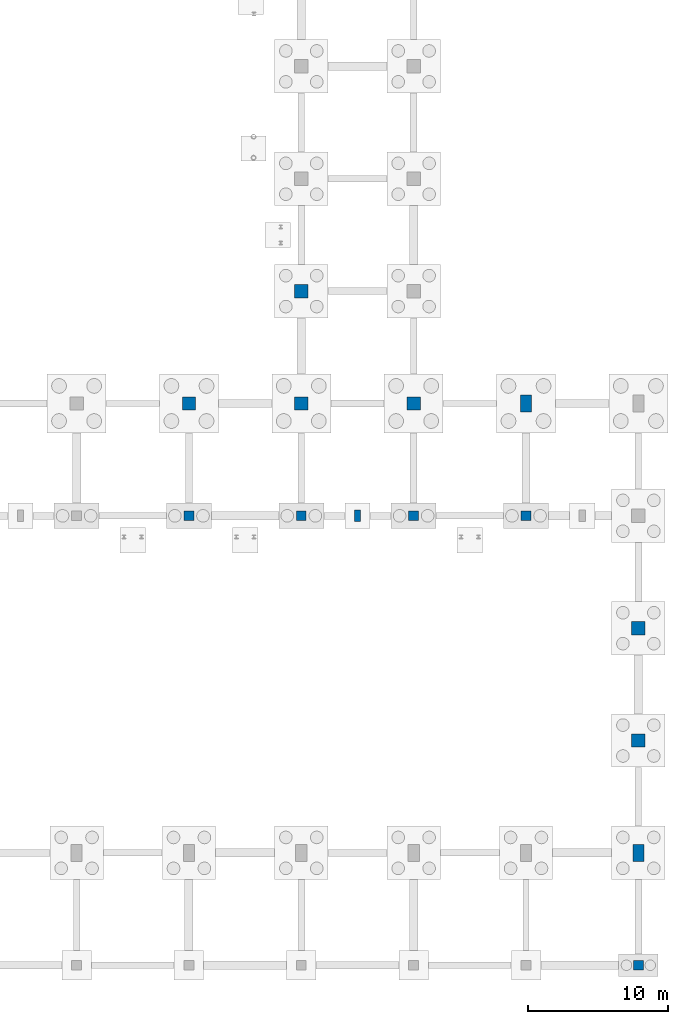
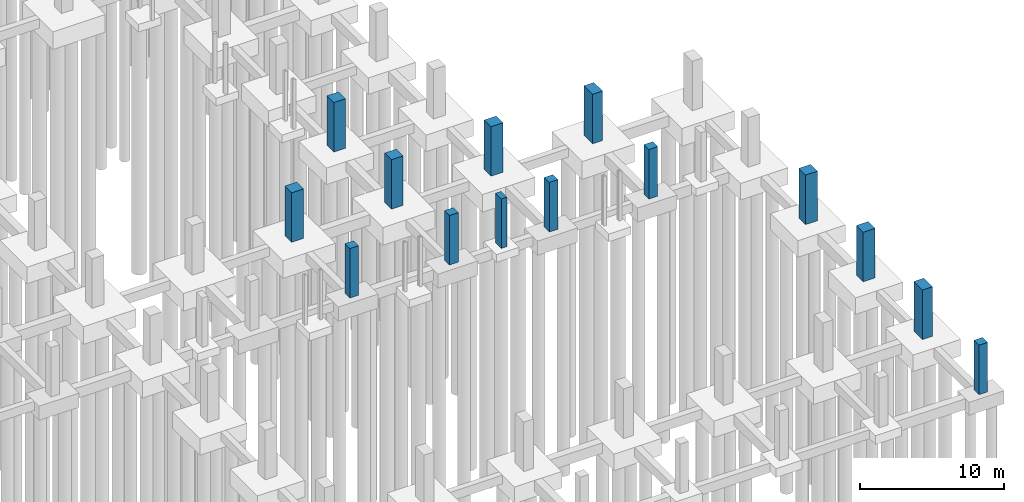
# One storey, part 17 of 32: 14 columns.
"""IFC4 building model written with IfcOpenShell, lengths in metres."""

from ifc_helpers import new_model, si_unit, direction, frame, origin, origin_2d, place, context, subcontext, project, spatial, rectangle, extrude, material, material_profile, profile_set, type_object, element, save


model = new_model("IFC4")

# Units and contexts
model_context = context("Model", 3, precision=1e-05, world=origin(), true_north=direction((0.0, 1.0)))
body_context = subcontext(model_context, "Body", "Model", "MODEL_VIEW")
ifc_project = project(units=[si_unit("LENGTHUNIT", "METRE"), si_unit("AREAUNIT", "SQUARE_METRE"), si_unit("VOLUMEUNIT", "CUBIC_METRE"), si_unit("PLANEANGLEUNIT", "RADIAN"), si_unit("MASSUNIT", "GRAM", prefix="KILO")], contexts=[model_context])

# Site, building, storey
site_placement = place(None, origin())
site = spatial("IfcSite", under=ifc_project, at=site_placement, CompositionType="ELEMENT")
building_placement = place(site_placement, origin())
building = spatial("IfcBuilding", under=site, at=building_placement, Name="Tenunan Teduh Sports Hall", CompositionType="ELEMENT")
storey_placement = place(building_placement, frame((0.0, 0.0, -4.199951171875)))
storey = spatial("IfcBuildingStorey", under=building, at=storey_placement, Name="B1", CompositionType="ELEMENT", Elevation=-4.199951171875)

# Columns
ifc_material_1 = material(Name="Concrete C40/50", Category="concrete")
ifc_material_profile_1 = material_profile(ifc_material_1, rectangle(XDim=0.699951171875, YDim=0.699951171875, at=origin_2d()), Name="RC 700x700")
ifc_profile_set_1 = profile_set([ifc_material_profile_1], Name="Concrete C40/50")
column_type_1 = type_object("IfcColumnType", Name="COL-RC-700", PredefinedType="COLUMN", material=ifc_profile_set_1)
for number, where, z_axis, x_axis, name in (
    (1, (138.0, 38.0, 0.0), (0.0, 0.0, 1.0), (1.0, 0.0, 0.0), "COL-C-07-B1-178"),
    (2, (146.0, 38.0, 0.0), (0.0, 0.0, 1.0), (1.0, 0.0, 0.0), "COL-C-07-B1-188"),
    (3, (154.0, 38.0, 0.0), (0.0, 0.0, 1.0), (1.0, 0.0, 0.0), "COL-C-07-B1-201"),
    (4, (162.0, 38.0, 0.0), (0.0, 0.0, 1.0), (1.0, 0.0, 0.0), "COL-C-07-B1-214"),
    (5, (170.0, 6.0, 0.0), (0.0, 0.0, 1.0), (1.0, 0.0, 0.0), "COL-C-07-B1-220"),
):
    element("IfcColumn", number, at=place(storey_placement, frame(where, z_axis=z_axis, x_axis=x_axis)), inside=storey, type_object=column_type_1, Name=name, PredefinedType="COLUMN", context=body_context, shape_type="SweptSolid", body=[
        extrude(rectangle(XDim=0.699951171875, YDim=0.699951171875, at=origin_2d()), origin(), (0.0, 0.0, 1.0), 4.199951171875),
    ])
ifc_material_2 = material(Name="Concrete C40/50", Category="concrete")
ifc_material_profile_2 = material_profile(ifc_material_2, rectangle(XDim=0.800048828125, YDim=1.199951171875, at=origin_2d()), Name="RC 800x1200")
ifc_profile_set_2 = profile_set([ifc_material_profile_2], Name="Concrete C40/50")
column_type_2 = type_object("IfcColumnType", Name="COL-RC-800x1200", PredefinedType="COLUMN", material=ifc_profile_set_2)
for number, where, z_axis, x_axis, name in (
    (6, (162.0, 46.0, 0.0), (0.0, 0.0, 1.0), (1.0, 0.0, 0.0), "COL-C-14-B1-215"),
    (7, (170.0, 14.0, 0.0), (0.0, 0.0, 1.0), (1.0, 0.0, 0.0), "COL-C-14-B1-221"),
):
    element("IfcColumn", number, at=place(storey_placement, frame(where, z_axis=z_axis, x_axis=x_axis)), inside=storey, type_object=column_type_2, Name=name, PredefinedType="COLUMN", context=body_context, shape_type="SweptSolid", body=[
        extrude(rectangle(XDim=0.800048828125, YDim=1.199951171875, at=origin_2d()), origin(), (0.0, 0.0, 1.0), 4.199951171875),
    ])
ifc_material_3 = material(Name="Concrete C40/50", Category="concrete")
ifc_material_profile_3 = material_profile(ifc_material_3, rectangle(XDim=0.949951171875, YDim=0.949951171875, at=origin_2d()), Name="RC 950x950")
ifc_profile_set_3 = profile_set([ifc_material_profile_3], Name="Concrete C40/50")
column_type_3 = type_object("IfcColumnType", Name="COL-RC-950", PredefinedType="COLUMN", material=ifc_profile_set_3)
for number, where, z_axis, x_axis, name in (
    (8, (138.0, 46.0, 0.0), (0.0, 0.0, 1.0), (1.0, 0.0, 0.0), "COL-C-02-B1-179"),
    (9, (146.0, 46.0, 0.0), (0.0, 0.0, 1.0), (1.0, 0.0, 0.0), "COL-C-02-B1-189"),
    (10, (146.0, 54.0, 0.0), (0.0, 0.0, 1.0), (1.0, 0.0, 0.0), "COL-C-02-B1-190"),
    (11, (154.0, 46.0, 0.0), (0.0, 0.0, 1.0), (1.0, 0.0, 0.0), "COL-C-02-B1-202"),
    (12, (170.0, 22.0, 0.0), (0.0, 0.0, 1.0), (1.0, 0.0, 0.0), "COL-C-02-B1-222"),
    (13, (170.0, 30.0, 0.0), (0.0, 0.0, 1.0), (1.0, 0.0, 0.0), "COL-C-02-B1-223"),
):
    element("IfcColumn", number, at=place(storey_placement, frame(where, z_axis=z_axis, x_axis=x_axis)), inside=storey, type_object=column_type_3, Name=name, PredefinedType="COLUMN", context=body_context, shape_type="SweptSolid", body=[
        extrude(rectangle(XDim=0.949951171875, YDim=0.949951171875, at=origin_2d()), origin(), (0.0, 0.0, 1.0), 4.199951171875),
    ])
ifc_material_4 = material(Name="Concrete C40/50", Category="concrete")
ifc_material_profile_4 = material_profile(ifc_material_4, rectangle(XDim=0.449951171875, YDim=0.800048828125, at=origin_2d()), Name="PIL 450x800")
ifc_profile_set_4 = profile_set([ifc_material_profile_4], Name="Concrete C40/50")
column_type_4 = type_object("IfcColumnType", Name="PIL-450x800", PredefinedType="PILASTER", material=ifc_profile_set_4)
column_placement = place(storey_placement, frame((150.0, 38.0, 0.0), z_axis=(0.0, 0.0, 1.0), x_axis=(1.0, 0.0, 0.0)))
element("IfcColumn", 14, at=column_placement, inside=storey, type_object=column_type_4, Name="PIL-PL-C1-B1-05", PredefinedType="PILASTER", context=body_context, shape_type="SweptSolid", body=[
    extrude(rectangle(XDim=0.449951171875, YDim=0.800048828125, at=origin_2d()), origin(), (0.0, 0.0, 1.0), 4.199951171875),
])

save(model, "model.ifc")
